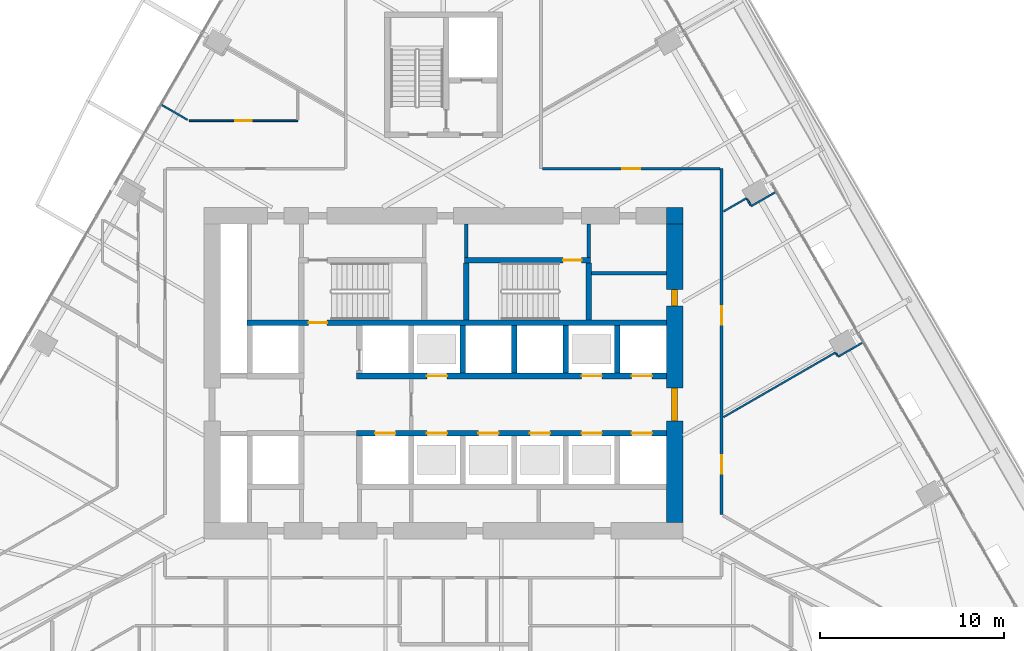
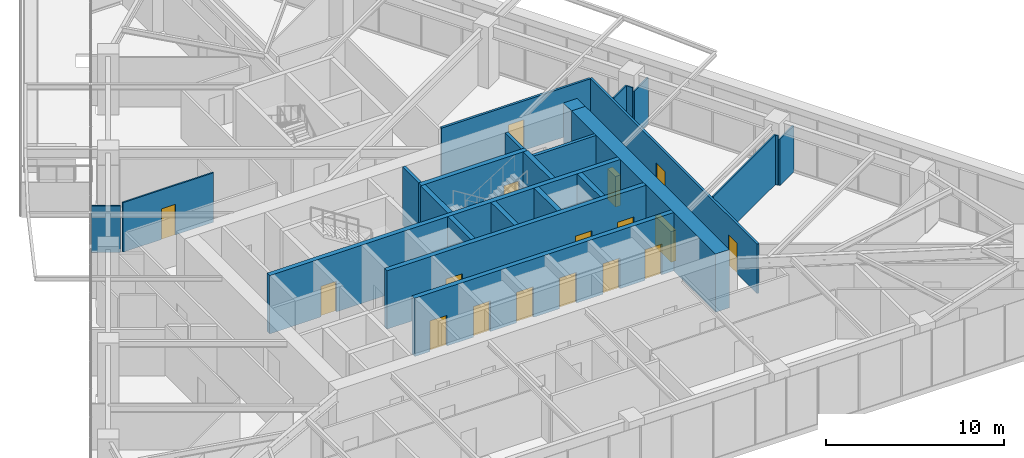
# One storey, part 23 of 29: 25 walls, 17 doors, 17 openings.
"""IFC4 building model written with IfcOpenShell, lengths in metres."""

from ifc_helpers import new_model, si_unit, direction, frame, frame_2d, origin, place, context, subcontext, project, spatial, rectangle, extrude, material, layer, layer_set, type_object, element, fill, save


model = new_model("IFC4")

# Units and contexts
model_context = context("Model", 3, precision=1e-05, world=origin(), true_north=direction((0.0, 1.0)))
body_context = subcontext(model_context, "Body", "Model", "MODEL_VIEW")
ifc_project = project(units=[si_unit("LENGTHUNIT", "METRE"), si_unit("AREAUNIT", "SQUARE_METRE"), si_unit("VOLUMEUNIT", "CUBIC_METRE"), si_unit("PLANEANGLEUNIT", "RADIAN"), si_unit("MASSUNIT", "GRAM", prefix="KILO")], contexts=[model_context])

# Site, building, storey
site_placement = place(None, origin())
site = spatial("IfcSite", under=ifc_project, at=site_placement, CompositionType="ELEMENT")
building_placement = place(site_placement, origin())
building = spatial("IfcBuilding", under=site, at=building_placement, Name="Firuza Gate Tower and Library", CompositionType="ELEMENT")
storey_placement = place(building_placement, frame((0.0, 0.0, 82.0)))
storey = spatial("IfcBuildingStorey", under=building, at=storey_placement, Name="L18", CompositionType="ELEMENT", Elevation=82.0)

# Walls
ifc_material_1 = material(Name="Plasterboard on steel studs", Category="steel")
ifc_layer_1 = layer(ifc_material_1, 0.199951171875)
ifc_layer_set_1 = layer_set([ifc_layer_1], Name="Core partition 200 EI 120")
wall_type_1 = type_object("IfcWallType", Name="Core partition 200 EI 120", PredefinedType="PARTITIONING", material=ifc_layer_set_1)
wall_1_placement = place(storey_placement, frame((83.050048828125, 80.425048828125, 0.0), z_axis=(0.0, 0.0, 1.0), x_axis=(1.0, 0.0, 0.0)))
element("IfcWall", 1, at=wall_1_placement, inside=storey, type_object=wall_type_1, Name="Core partition L18 4", PredefinedType="PARTITIONING", context=body_context, shape_type="SweptSolid", body=[
    extrude(rectangle(XDim=4.050048828125, YDim=0.199951171875, at=frame_2d((2.02490234375, 0.0))), origin(), (0.0, 0.0, 1.0), 4.0),
])
ifc_material_2 = material(Name="Plasterboard on steel studs", Category="steel")
ifc_layer_2 = layer(ifc_material_2, 0.199951171875)
ifc_layer_set_2 = layer_set([ifc_layer_2], Name="Core partition 200 EI 60")
wall_type_2 = type_object("IfcWallType", Name="Core partition 200 EI 60", PredefinedType="PARTITIONING", material=ifc_layer_set_2)
for number, where, z_axis, x_axis, name in (
    (2, (76.239990234375, 81.280029296875, 0.0), (0.0, 0.0, 1.0), (0.0, 1.0, 0.0), "Core partition L18 14"),
    (3, (82.89990234375, 81.280029296875, 0.0), (0.0, 0.0, 1.0), (0.0, 1.0, 0.0), "Core partition L18 16"),
):
    element("IfcWall", number, at=place(storey_placement, frame(where, z_axis=z_axis, x_axis=x_axis)), inside=storey, type_object=wall_type_2, Name=name, PredefinedType="PARTITIONING", context=body_context, shape_type="SweptSolid", body=[
        extrude(rectangle(XDim=1.820068359375, YDim=0.199951171875, at=frame_2d((0.91015625, 0.0))), origin(), (0.0, 0.0, 1.0), 4.0),
    ])

# Wall, openings, doors
ifc_material_3 = material(Name="Concrete C80/95", Category="concrete")
ifc_layer_3 = layer(ifc_material_3, 0.300048828125)
ifc_layer_set_3 = layer_set([ifc_layer_3], Name="Core wall 300 C80/95")
wall_type_3 = type_object("IfcWallType", Name="Core wall 300 C80/95", PredefinedType="SHEAR", material=ifc_layer_set_3)
wall_2_placement = place(storey_placement, frame((70.300048828125, 71.75, 0.0), z_axis=(0.0, 0.0, 1.0), x_axis=(1.0, 0.0, 0.0)))
wall_2 = element("IfcWall", 4, at=wall_2_placement, inside=storey, type_object=wall_type_3, Name="Core wall L18 8", PredefinedType="SHEAR", context=body_context, shape_type="SweptSolid", body=[
    extrude(rectangle(XDim=16.800048828125, YDim=0.300048828125, at=frame_2d((8.39990234375, 0.0))), origin(), (0.0, 0.0, 1.0), 4.0),
])
opening_1_placement = place(wall_2_placement, frame((1.0, 0.0, 0.0)))
opening_1 = element("IfcOpeningElement", 5, at=opening_1_placement, cuts=wall_2, Name="Opening LD-FF1-L18", PredefinedType="OPENING", context=body_context, shape_type="SweptSolid", body=[
    extrude(rectangle(XDim=1.10009765625, YDim=2.10009765625, at=frame_2d((0.550048828125, 1.050048828125))), frame((0.0, 0.16015625, 0.0), z_axis=(0.0, -1.0, 0.0), x_axis=(1.0, 0.0, 0.0)), (0.0, 0.0, 1.0), 0.320068359375),
])
opening_2_placement = place(wall_2_placement, frame((3.800048828125, 0.0, 0.0)))
opening_2 = element("IfcOpeningElement", 6, at=opening_2_placement, cuts=wall_2, Name="Opening LD-LR1-L18", PredefinedType="OPENING", context=body_context, shape_type="SweptSolid", body=[
    extrude(rectangle(XDim=1.10009765625, YDim=2.10009765625, at=frame_2d((0.550048828125, 1.050048828125))), frame((0.0, 0.16015625, 0.0), z_axis=(0.0, -1.0, 0.0), x_axis=(1.0, 0.0, 0.0)), (0.0, 0.0, 1.0), 0.320068359375),
])
opening_3_placement = place(wall_2_placement, frame((6.60009765625, 0.0, 0.0)))
opening_3 = element("IfcOpeningElement", 7, at=opening_3_placement, cuts=wall_2, Name="Opening LD-LR2-L18", PredefinedType="OPENING", context=body_context, shape_type="SweptSolid", body=[
    extrude(rectangle(XDim=1.10009765625, YDim=2.10009765625, at=frame_2d((0.550048828125, 1.050048828125))), frame((0.0, 0.16015625, 0.0), z_axis=(0.0, -1.0, 0.0), x_axis=(1.0, 0.0, 0.0)), (0.0, 0.0, 1.0), 0.320068359375),
])
opening_4_placement = place(wall_2_placement, frame((9.39990234375, 0.0, 0.0)))
opening_4 = element("IfcOpeningElement", 8, at=opening_4_placement, cuts=wall_2, Name="Opening LD-LR3-L18", PredefinedType="OPENING", context=body_context, shape_type="SweptSolid", body=[
    extrude(rectangle(XDim=1.10009765625, YDim=2.10009765625, at=frame_2d((0.550048828125, 1.050048828125))), frame((0.0, 0.16015625, 0.0), z_axis=(0.0, -1.0, 0.0), x_axis=(1.0, 0.0, 0.0)), (0.0, 0.0, 1.0), 0.320068359375),
])
opening_5_placement = place(wall_2_placement, frame((12.199951171875, 0.0, 0.0)))
opening_5 = element("IfcOpeningElement", 9, at=opening_5_placement, cuts=wall_2, Name="Opening LD-LR5-L18", PredefinedType="OPENING", context=body_context, shape_type="SweptSolid", body=[
    extrude(rectangle(XDim=1.10009765625, YDim=2.10009765625, at=frame_2d((0.550048828125, 1.050048828125))), frame((0.0, 0.16015625, 0.0), z_axis=(0.0, -1.0, 0.0), x_axis=(1.0, 0.0, 0.0)), (0.0, 0.0, 1.0), 0.320068359375),
])
opening_6_placement = place(wall_2_placement, frame((14.925048828125, 0.0, 0.0)))
opening_6 = element("IfcOpeningElement", 10, at=opening_6_placement, cuts=wall_2, Name="Opening LD-LR7-L18", PredefinedType="OPENING", context=body_context, shape_type="SweptSolid", body=[
    extrude(rectangle(XDim=1.10009765625, YDim=2.10009765625, at=frame_2d((0.550048828125, 1.050048828125))), frame((0.0, 0.16015625, 0.0), z_axis=(0.0, -1.0, 0.0), x_axis=(1.0, 0.0, 0.0)), (0.0, 0.0, 1.0), 0.320068359375),
])
ifc_material_4 = material(Name="Stainless steel", Category="steel")
door_type_1 = type_object("IfcDoorType", Name="Lift landing door 1100x2100", OperationType="DOUBLE_DOOR_SLIDING", PredefinedType="DOOR", material=ifc_material_4)
door_1_placement = place(opening_1_placement, origin())
door_1 = element("IfcDoor", 11, at=door_1_placement, inside=storey, type_object=door_type_1, Name="Landing door FF1 L18", OperationType="DOUBLE_DOOR_SLIDING", OverallHeight=2.10009765625, OverallWidth=1.10009765625, PredefinedType="DOOR", context=body_context, shape_type="SweptSolid", body=[
    extrude(rectangle(XDim=1.10009765625, YDim=2.10009765625, at=frame_2d((0.550048828125, 1.050048828125))), frame((0.0, 0.02490234375, 0.0), z_axis=(0.0, -1.0, 0.0), x_axis=(1.0, 0.0, 0.0)), (0.0, 0.0, 1.0), 0.050048828125),
])
fill(opening_1, door_1)
door_2_placement = place(opening_2_placement, origin())
door_2 = element("IfcDoor", 12, at=door_2_placement, inside=storey, type_object=door_type_1, Name="Landing door LR1 L18", OperationType="DOUBLE_DOOR_SLIDING", OverallHeight=2.10009765625, OverallWidth=1.10009765625, PredefinedType="DOOR", context=body_context, shape_type="SweptSolid", body=[
    extrude(rectangle(XDim=1.10009765625, YDim=2.10009765625, at=frame_2d((0.550048828125, 1.050048828125))), frame((0.0, 0.02490234375, 0.0), z_axis=(0.0, -1.0, 0.0), x_axis=(1.0, 0.0, 0.0)), (0.0, 0.0, 1.0), 0.050048828125),
])
fill(opening_2, door_2)
door_3_placement = place(opening_3_placement, origin())
door_3 = element("IfcDoor", 13, at=door_3_placement, inside=storey, type_object=door_type_1, Name="Landing door LR2 L18", OperationType="DOUBLE_DOOR_SLIDING", OverallHeight=2.10009765625, OverallWidth=1.10009765625, PredefinedType="DOOR", context=body_context, shape_type="SweptSolid", body=[
    extrude(rectangle(XDim=1.10009765625, YDim=2.10009765625, at=frame_2d((0.550048828125, 1.050048828125))), frame((0.0, 0.02490234375, 0.0), z_axis=(0.0, -1.0, 0.0), x_axis=(1.0, 0.0, 0.0)), (0.0, 0.0, 1.0), 0.050048828125),
])
fill(opening_3, door_3)
door_4_placement = place(opening_4_placement, origin())
door_4 = element("IfcDoor", 14, at=door_4_placement, inside=storey, type_object=door_type_1, Name="Landing door LR3 L18", OperationType="DOUBLE_DOOR_SLIDING", OverallHeight=2.10009765625, OverallWidth=1.10009765625, PredefinedType="DOOR", context=body_context, shape_type="SweptSolid", body=[
    extrude(rectangle(XDim=1.10009765625, YDim=2.10009765625, at=frame_2d((0.550048828125, 1.050048828125))), frame((0.0, 0.02490234375, 0.0), z_axis=(0.0, -1.0, 0.0), x_axis=(1.0, 0.0, 0.0)), (0.0, 0.0, 1.0), 0.050048828125),
])
fill(opening_4, door_4)
door_5_placement = place(opening_5_placement, origin())
door_5 = element("IfcDoor", 15, at=door_5_placement, inside=storey, type_object=door_type_1, Name="Landing door LR5 L18", OperationType="DOUBLE_DOOR_SLIDING", OverallHeight=2.10009765625, OverallWidth=1.10009765625, PredefinedType="DOOR", context=body_context, shape_type="SweptSolid", body=[
    extrude(rectangle(XDim=1.10009765625, YDim=2.10009765625, at=frame_2d((0.550048828125, 1.050048828125))), frame((0.0, 0.02490234375, 0.0), z_axis=(0.0, -1.0, 0.0), x_axis=(1.0, 0.0, 0.0)), (0.0, 0.0, 1.0), 0.050048828125),
])
fill(opening_5, door_5)
door_6_placement = place(opening_6_placement, origin())
door_6 = element("IfcDoor", 16, at=door_6_placement, inside=storey, type_object=door_type_1, Name="Landing door LR7 L18", OperationType="DOUBLE_DOOR_SLIDING", OverallHeight=2.10009765625, OverallWidth=1.10009765625, PredefinedType="DOOR", context=body_context, shape_type="SweptSolid", body=[
    extrude(rectangle(XDim=1.10009765625, YDim=2.10009765625, at=frame_2d((0.550048828125, 1.050048828125))), frame((0.0, 0.02490234375, 0.0), z_axis=(0.0, -1.0, 0.0), x_axis=(1.0, 0.0, 0.0)), (0.0, 0.0, 1.0), 0.050048828125),
])
fill(opening_6, door_6)

wall_3_placement = place(storey_placement, frame((70.300048828125, 74.85009765625, 0.0), z_axis=(0.0, 0.0, 1.0), x_axis=(1.0, 0.0, 0.0)))
wall_3 = element("IfcWall", 17, at=wall_3_placement, inside=storey, type_object=wall_type_3, Name="Core wall L18 10", PredefinedType="SHEAR", context=body_context, shape_type="SweptSolid", body=[
    extrude(rectangle(XDim=16.800048828125, YDim=0.300048828125, at=frame_2d((8.39990234375, 0.0))), origin(), (0.0, 0.0, 1.0), 4.0),
])
opening_7_placement = place(wall_3_placement, frame((3.800048828125, 0.0, 0.0)))
opening_7 = element("IfcOpeningElement", 18, at=opening_7_placement, cuts=wall_3, Name="Opening LD-LR4-L18", PredefinedType="OPENING", context=body_context, shape_type="SweptSolid", body=[
    extrude(rectangle(XDim=1.10009765625, YDim=2.10009765625, at=frame_2d((0.550048828125, 1.050048828125))), frame((0.0, 0.16015625, 0.0), z_axis=(0.0, -1.0, 0.0), x_axis=(1.0, 0.0, 0.0)), (0.0, 0.0, 1.0), 0.320068359375),
])
opening_8_placement = place(wall_3_placement, frame((12.199951171875, 0.0, 0.0)))
opening_8 = element("IfcOpeningElement", 19, at=opening_8_placement, cuts=wall_3, Name="Opening LD-LR6-L18", PredefinedType="OPENING", context=body_context, shape_type="SweptSolid", body=[
    extrude(rectangle(XDim=1.10009765625, YDim=2.10009765625, at=frame_2d((0.550048828125, 1.050048828125))), frame((0.0, 0.16015625, 0.0), z_axis=(0.0, -1.0, 0.0), x_axis=(1.0, 0.0, 0.0)), (0.0, 0.0, 1.0), 0.320068359375),
])
opening_9_placement = place(wall_3_placement, frame((14.925048828125, 0.0, 0.0)))
opening_9 = element("IfcOpeningElement", 20, at=opening_9_placement, cuts=wall_3, Name="Opening LD-LR8-L18", PredefinedType="OPENING", context=body_context, shape_type="SweptSolid", body=[
    extrude(rectangle(XDim=1.10009765625, YDim=2.10009765625, at=frame_2d((0.550048828125, 1.050048828125))), frame((0.0, 0.16015625, 0.0), z_axis=(0.0, -1.0, 0.0), x_axis=(1.0, 0.0, 0.0)), (0.0, 0.0, 1.0), 0.320068359375),
])
door_7_placement = place(opening_7_placement, origin())
door_7 = element("IfcDoor", 21, at=door_7_placement, inside=storey, type_object=door_type_1, Name="Landing door LR4 L18", OperationType="DOUBLE_DOOR_SLIDING", OverallHeight=2.10009765625, OverallWidth=1.10009765625, PredefinedType="DOOR", context=body_context, shape_type="SweptSolid", body=[
    extrude(rectangle(XDim=1.10009765625, YDim=2.10009765625, at=frame_2d((0.550048828125, 1.050048828125))), frame((0.0, 0.02490234375, 0.0), z_axis=(0.0, -1.0, 0.0), x_axis=(1.0, 0.0, 0.0)), (0.0, 0.0, 1.0), 0.050048828125),
])
fill(opening_7, door_7)
door_8_placement = place(opening_8_placement, origin())
door_8 = element("IfcDoor", 22, at=door_8_placement, inside=storey, type_object=door_type_1, Name="Landing door LR6 L18", OperationType="DOUBLE_DOOR_SLIDING", OverallHeight=2.10009765625, OverallWidth=1.10009765625, PredefinedType="DOOR", context=body_context, shape_type="SweptSolid", body=[
    extrude(rectangle(XDim=1.10009765625, YDim=2.10009765625, at=frame_2d((0.550048828125, 1.050048828125))), frame((0.0, 0.02490234375, 0.0), z_axis=(0.0, -1.0, 0.0), x_axis=(1.0, 0.0, 0.0)), (0.0, 0.0, 1.0), 0.050048828125),
])
fill(opening_8, door_8)
door_9_placement = place(opening_9_placement, origin())
door_9 = element("IfcDoor", 23, at=door_9_placement, inside=storey, type_object=door_type_1, Name="Landing door LR8 L18", OperationType="DOUBLE_DOOR_SLIDING", OverallHeight=2.10009765625, OverallWidth=1.10009765625, PredefinedType="DOOR", context=body_context, shape_type="SweptSolid", body=[
    extrude(rectangle(XDim=1.10009765625, YDim=2.10009765625, at=frame_2d((0.550048828125, 1.050048828125))), frame((0.0, 0.02490234375, 0.0), z_axis=(0.0, -1.0, 0.0), x_axis=(1.0, 0.0, 0.0)), (0.0, 0.0, 1.0), 0.050048828125),
])
fill(opening_9, door_9)

# Walls
for number, where, z_axis, x_axis, name in (
    (24, (76.050048828125, 75.0, 0.0), (0.0, 0.0, 1.0), (0.0, 1.0, 0.0), "Core wall L18 20"),
    (25, (78.85009765625, 75.0, 0.0), (0.0, 0.0, 1.0), (0.0, 1.0, 0.0), "Core wall L18 22"),
    (26, (81.64990234375, 75.0, 0.0), (0.0, 0.0, 1.0), (0.0, 1.0, 0.0), "Core wall L18 24"),
    (27, (84.449951171875, 75.0, 0.0), (0.0, 0.0, 1.0), (0.0, 1.0, 0.0), "Core wall L18 26"),
):
    element("IfcWall", number, at=place(storey_placement, frame(where, z_axis=z_axis, x_axis=x_axis)), inside=storey, type_object=wall_type_3, Name=name, PredefinedType="SHEAR", context=body_context, shape_type="SweptSolid", body=[
        extrude(rectangle(XDim=2.60009765625, YDim=0.300048828125, at=frame_2d((1.300048828125, 0.0))), origin(), (0.0, 0.0, 1.0), 4.0),
    ])

# Wall, opening, door
wall_4_placement = place(storey_placement, frame((64.35009765625, 77.75, 0.0), z_axis=(0.0, 0.0, 1.0), x_axis=(1.0, 0.0, 0.0)))
wall_4 = element("IfcWall", 28, at=wall_4_placement, inside=storey, type_object=wall_type_3, Name="Core wall L18 27", PredefinedType="SHEAR", context=body_context, shape_type="SweptSolid", body=[
    extrude(rectangle(XDim=22.75, YDim=0.300048828125, at=frame_2d((11.375, 0.0))), origin(), (0.0, 0.0, 1.0), 4.0),
])
opening_10_placement = place(wall_4_placement, frame((3.344970703125, 0.0, 0.0)))
opening_10 = element("IfcOpeningElement", 29, at=opening_10_placement, cuts=wall_4, Name="Opening L18-K12", PredefinedType="OPENING", context=body_context, shape_type="SweptSolid", body=[
    extrude(rectangle(XDim=1.0, YDim=2.10009765625, at=frame_2d((0.5, 1.050048828125))), frame((0.0, 0.16015625, 0.0), z_axis=(0.0, -1.0, 0.0), x_axis=(1.0, 0.0, 0.0)), (0.0, 0.0, 1.0), 0.320068359375),
])
ifc_material_5 = material(Name="Steel", Category="steel")
door_type_2 = type_object("IfcDoorType", Name="Fire door 1000x2100 FD90", OperationType="NOTDEFINED", PredefinedType="DOOR", material=ifc_material_5)
door_10_placement = place(opening_10_placement, origin())
door_10 = element("IfcDoor", 30, at=door_10_placement, inside=storey, type_object=door_type_2, Name="Door L18-K12", OperationType="SINGLE_SWING_LEFT", OverallHeight=2.10009765625, OverallWidth=1.0, PredefinedType="DOOR", context=body_context, shape_type="SweptSolid", body=[
    extrude(rectangle(XDim=1.0, YDim=2.10009765625, at=frame_2d((0.5, 1.050048828125))), frame((0.0, 0.02490234375, 0.0), z_axis=(0.0, -1.0, 0.0), x_axis=(1.0, 0.0, 0.0)), (0.0, 0.0, 1.0), 0.050048828125),
])
fill(opening_10, door_10)

wall_5_placement = place(storey_placement, frame((76.139892578125, 81.1298828125, 0.0), z_axis=(0.0, 0.0, 1.0), x_axis=(1.0, 0.0, 0.0)))
wall_5 = element("IfcWall", 31, at=wall_5_placement, inside=storey, type_object=wall_type_3, Name="Core wall L18 29", PredefinedType="SHEAR", context=body_context, shape_type="SweptSolid", body=[
    extrude(rectangle(XDim=6.860107421875, YDim=0.300048828125, at=frame_2d((3.43017578125, 0.0))), origin(), (0.0, 0.0, 1.0), 4.0),
])
opening_11_placement = place(wall_5_placement, frame((5.364990234375, 0.0, 0.0)))
opening_11 = element("IfcOpeningElement", 32, at=opening_11_placement, cuts=wall_5, Name="Opening L18-K15", PredefinedType="OPENING", context=body_context, shape_type="SweptSolid", body=[
    extrude(rectangle(XDim=1.0, YDim=2.10009765625, at=frame_2d((0.5, 1.050048828125))), frame((0.0, 0.16015625, 0.0), z_axis=(0.0, -1.0, 0.0), x_axis=(1.0, 0.0, 0.0)), (0.0, 0.0, 1.0), 0.320068359375),
])
door_11_placement = place(opening_11_placement, origin())
door_11 = element("IfcDoor", 33, at=door_11_placement, inside=storey, type_object=door_type_2, Name="Door L18-K15", OperationType="SINGLE_SWING_RIGHT", OverallHeight=2.10009765625, OverallWidth=1.0, PredefinedType="DOOR", context=body_context, shape_type="SweptSolid", body=[
    extrude(rectangle(XDim=1.0, YDim=2.10009765625, at=frame_2d((0.5, 1.050048828125))), frame((0.0, 0.02490234375, 0.0), z_axis=(0.0, -1.0, 0.0), x_axis=(1.0, 0.0, 0.0)), (0.0, 0.0, 1.0), 0.050048828125),
])
fill(opening_11, door_11)

# Walls
for number, where, z_axis, x_axis, name in (
    (34, (76.239990234375, 77.89990234375, 0.0), (0.0, 0.0, 1.0), (0.0, 1.0, 0.0), "Core wall L18 32"),
    (35, (82.89990234375, 77.89990234375, 0.0), (0.0, 0.0, 1.0), (0.0, 1.0, 0.0), "Core wall L18 33"),
):
    element("IfcWall", number, at=place(storey_placement, frame(where, z_axis=z_axis, x_axis=x_axis)), inside=storey, type_object=wall_type_3, Name=name, PredefinedType="SHEAR", context=body_context, shape_type="SweptSolid", body=[
        extrude(rectangle(XDim=3.080078125, YDim=0.300048828125, at=frame_2d((1.5400390625, 0.0))), origin(), (0.0, 0.0, 1.0), 4.0),
    ])

# Wall, openings, doors
ifc_material_6 = material(Name="Concrete C80/95", Category="concrete")
ifc_layer_4 = layer(ifc_material_6, 0.89990234375)
ifc_layer_set_4 = layer_set([ifc_layer_4], Name="Core wall 900 C80/95")
wall_type_4 = type_object("IfcWallType", Name="Core wall 900 C80/95", PredefinedType="SHEAR", material=ifc_layer_set_4)
wall_6_placement = place(storey_placement, frame((87.550048828125, 66.89990234375, 0.0), z_axis=(0.0, 0.0, 1.0), x_axis=(0.0, 1.0, 0.0)))
wall_6 = element("IfcWall", 36, at=wall_6_placement, inside=storey, type_object=wall_type_4, Name="Core wall L18 4", PredefinedType="SHEAR", context=body_context, shape_type="SweptSolid", body=[
    extrude(rectangle(XDim=16.2001953125, YDim=0.89990234375, at=frame_2d((8.10009765625, 0.0))), origin(), (0.0, 0.0, 1.0), 4.0),
])
opening_12_placement = place(wall_6_placement, frame((5.5, 0.0, 0.0)))
opening_12 = element("IfcOpeningElement", 37, at=opening_12_placement, cuts=wall_6, Name="Opening L18-K23", PredefinedType="OPENING", context=body_context, shape_type="SweptSolid", body=[
    extrude(rectangle(XDim=1.800048828125, YDim=2.10009765625, at=frame_2d((0.89990234375, 1.050048828125))), frame((0.0, 0.4599609375, 0.0), z_axis=(0.0, -1.0, 0.0), x_axis=(1.0, 0.0, 0.0)), (0.0, 0.0, 1.0), 0.919921875),
])
opening_13_placement = place(wall_6_placement, frame((11.737548828125, 0.0, 0.0)))
opening_13 = element("IfcOpeningElement", 38, at=opening_13_placement, cuts=wall_6, Name="Opening L18-K31", PredefinedType="OPENING", context=body_context, shape_type="SweptSolid", body=[
    extrude(rectangle(XDim=0.89990234375, YDim=2.10009765625, at=frame_2d((0.449951171875, 1.050048828125))), frame((0.0, 0.4599609375, 0.0), z_axis=(0.0, -1.0, 0.0), x_axis=(1.0, 0.0, 0.0)), (0.0, 0.0, 1.0), 0.919921875),
])
ifc_material_7 = material(Name="Steel", Category="steel")
door_type_3 = type_object("IfcDoorType", Name="Fire door 1800x2100 FD30S", OperationType="NOTDEFINED", PredefinedType="DOOR", material=ifc_material_7)
door_12_placement = place(opening_12_placement, origin())
door_12 = element("IfcDoor", 39, at=door_12_placement, inside=storey, type_object=door_type_3, Name="Door L18-K23", OperationType="SINGLE_SWING_RIGHT", OverallHeight=2.10009765625, OverallWidth=1.800048828125, PredefinedType="DOOR", context=body_context, shape_type="SweptSolid", body=[
    extrude(rectangle(XDim=1.800048828125, YDim=2.10009765625, at=frame_2d((0.89990234375, 1.050048828125))), frame((0.0, 0.169921875, 0.0), z_axis=(0.0, -1.0, 0.0), x_axis=(1.0, 0.0, 0.0)), (0.0, 0.0, 1.0), 0.33984375),
])
fill(opening_12, door_12)
ifc_material_8 = material(Name="Steel", Category="steel")
door_type_4 = type_object("IfcDoorType", Name="Fire door 900x2100 FD30S", OperationType="NOTDEFINED", PredefinedType="DOOR", material=ifc_material_8)
door_13_placement = place(opening_13_placement, origin())
door_13 = element("IfcDoor", 40, at=door_13_placement, inside=storey, type_object=door_type_4, Name="Door L18-K31", OperationType="SINGLE_SWING_RIGHT", OverallHeight=2.10009765625, OverallWidth=0.89990234375, PredefinedType="DOOR", context=body_context, shape_type="SweptSolid", body=[
    extrude(rectangle(XDim=0.89990234375, YDim=2.10009765625, at=frame_2d((0.449951171875, 1.050048828125))), frame((0.0, 0.169921875, 0.0), z_axis=(0.0, -1.0, 0.0), x_axis=(1.0, 0.0, 0.0)), (0.0, 0.0, 1.0), 0.33984375),
])
fill(opening_13, door_13)

# Wall
wall_7_placement = place(storey_placement, frame((87.10009765625, 83.550048828125, 0.0), z_axis=(0.0, 0.0, 1.0), x_axis=(1.0, 0.0, 0.0)))
element("IfcWall", 41, at=wall_7_placement, inside=storey, type_object=wall_type_4, Name="Core wall L18 40", PredefinedType="SHEAR", context=body_context, shape_type="SweptSolid", body=[
    extrude(rectangle(XDim=0.89990234375, YDim=0.89990234375, at=frame_2d((0.449951171875, 0.0))), origin(), (0.0, 0.0, 1.0), 4.0),
])

# Wall, opening, door
ifc_material_9 = material(Name="Gypsum board partition")
ifc_layer_5 = layer(ifc_material_9, 0.14990234375)
ifc_layer_set_5 = layer_set([ifc_layer_5], Name="Corridor wall 150 double board on steel studs")
wall_type_5 = type_object("IfcWallType", Name="Corridor wall 150 double board on steel studs", PredefinedType="PARTITIONING", material=ifc_layer_set_5)
wall_8_placement = place(storey_placement, frame((80.375, 86.10009765625, 0.0), z_axis=(0.0, 0.0, 1.0), x_axis=(1.0, 0.0, 0.0)))
wall_8 = element("IfcWall", 42, at=wall_8_placement, inside=storey, type_object=wall_type_5, Name="f:L18:w006", PredefinedType="PARTITIONING", context=body_context, shape_type="SweptSolid", body=[
    extrude(rectangle(XDim=9.6494140625, YDim=0.14990234375, at=frame_2d((4.82470703125, 0.0))), origin(), (0.0, 0.0, 1.0), 3.39990234375),
])
opening_14_placement = place(wall_8_placement, frame((4.32470703125, 0.0, 0.0)))
opening_14 = element("IfcOpeningElement", 43, at=opening_14_placement, cuts=wall_8, Name="Opening L18-11", PredefinedType="OPENING", context=body_context, shape_type="SweptSolid", body=[
    extrude(rectangle(XDim=1.0, YDim=2.10009765625, at=frame_2d((0.5, 1.050048828125))), frame((0.0, 0.0849609375, 0.0), z_axis=(0.0, -1.0, 0.0), x_axis=(1.0, 0.0, 0.0)), (0.0, 0.0, 1.0), 0.169921875),
])
ifc_material_10 = material(Name="Steel door and timber leaf", Category="steel")
door_type_5 = type_object("IfcDoorType", Name="Fire door 1000 x 2100 steel frame, timber leaf", OperationType="NOTDEFINED", PredefinedType="DOOR", material=ifc_material_10)
door_14_placement = place(opening_14_placement, origin())
door_14 = element("IfcDoor", 44, at=door_14_placement, inside=storey, type_object=door_type_5, Name="f:L18:d011", OperationType="SINGLE_SWING_RIGHT", OverallHeight=2.10009765625, OverallWidth=1.0, PredefinedType="DOOR", context=body_context, shape_type="SweptSolid", body=[
    extrude(rectangle(XDim=1.0, YDim=2.10009765625, at=frame_2d((0.5, 1.050048828125))), frame((0.0, 0.02490234375, 0.0), z_axis=(0.0, -1.0, 0.0), x_axis=(1.0, 0.0, 0.0)), (0.0, 0.0, 1.0), 0.050048828125),
])
fill(opening_14, door_14)

# Wall, openings, doors
wall_9_placement = place(storey_placement, frame((90.10009765625, 86.099609375, 0.0), z_axis=(0.0, 0.0, 1.0), x_axis=(0.0, -1.0, 0.0)))
wall_9 = element("IfcWall", 45, at=wall_9_placement, inside=storey, type_object=wall_type_5, Name="f:L18:w034", PredefinedType="PARTITIONING", context=body_context, shape_type="SweptSolid", body=[
    extrude(rectangle(XDim=18.7783203125, YDim=0.14990234375, at=frame_2d((9.38916015625, 0.0))), origin(), (0.0, 0.0, 1.0), 3.39990234375),
])
opening_15_placement = place(wall_9_placement, frame((7.462158203125, 0.0, 0.0)))
opening_15 = element("IfcOpeningElement", 46, at=opening_15_placement, cuts=wall_9, Name="Opening L18-21", PredefinedType="OPENING", context=body_context, shape_type="SweptSolid", body=[
    extrude(rectangle(XDim=1.0, YDim=2.10009765625, at=frame_2d((0.5, 1.050048828125))), frame((0.0, 0.0849609375, 0.0), z_axis=(0.0, -1.0, 0.0), x_axis=(1.0, 0.0, 0.0)), (0.0, 0.0, 1.0), 0.169921875),
])
opening_16_placement = place(wall_9_placement, frame((15.558837890625, 0.0, 0.0)))
opening_16 = element("IfcOpeningElement", 47, at=opening_16_placement, cuts=wall_9, Name="Opening L18-22", PredefinedType="OPENING", context=body_context, shape_type="SweptSolid", body=[
    extrude(rectangle(XDim=1.0, YDim=2.10009765625, at=frame_2d((0.5, 1.050048828125))), frame((0.0, 0.0849609375, 0.0), z_axis=(0.0, -1.0, 0.0), x_axis=(1.0, 0.0, 0.0)), (0.0, 0.0, 1.0), 0.169921875),
])
door_15_placement = place(opening_15_placement, origin())
door_15 = element("IfcDoor", 48, at=door_15_placement, inside=storey, type_object=door_type_5, Name="f:L18:d021", OperationType="SINGLE_SWING_RIGHT", OverallHeight=2.10009765625, OverallWidth=1.0, PredefinedType="DOOR", context=body_context, shape_type="SweptSolid", body=[
    extrude(rectangle(XDim=1.0, YDim=2.10009765625, at=frame_2d((0.5, 1.050048828125))), frame((0.0, 0.02490234375, 0.0), z_axis=(0.0, -1.0, 0.0), x_axis=(1.0, 0.0, 0.0)), (0.0, 0.0, 1.0), 0.050048828125),
])
fill(opening_15, door_15)
door_16_placement = place(opening_16_placement, origin())
door_16 = element("IfcDoor", 49, at=door_16_placement, inside=storey, type_object=door_type_5, Name="f:L18:d022", OperationType="SINGLE_SWING_LEFT", OverallHeight=2.10009765625, OverallWidth=1.0, PredefinedType="DOOR", context=body_context, shape_type="SweptSolid", body=[
    extrude(rectangle(XDim=1.0, YDim=2.10009765625, at=frame_2d((0.5, 1.050048828125))), frame((0.0, 0.02490234375, 0.0), z_axis=(0.0, -1.0, 0.0), x_axis=(1.0, 0.0, 0.0)), (0.0, 0.0, 1.0), 0.050048828125),
])
fill(opening_16, door_16)

# Wall, opening, door
ifc_material_11 = material(Name="Gypsum board partition")
ifc_layer_6 = layer(ifc_material_11, 0.10009765625)
ifc_layer_set_6 = layer_set([ifc_layer_6], Name="Partition 100 gypsum board on steel studs")
wall_type_6 = type_object("IfcWallType", Name="Partition 100 gypsum board on steel studs", PredefinedType="PARTITIONING", material=ifc_layer_set_6)
wall_10_placement = place(storey_placement, frame((67.10009765625, 88.699951171875, 0.0), z_axis=(0.0, 0.0, 1.0), x_axis=(-1.0, 0.0, 0.0)))
wall_10 = element("IfcWall", 50, at=wall_10_placement, inside=storey, type_object=wall_type_6, Name="f:L18:w007", PredefinedType="PARTITIONING", context=body_context, shape_type="SweptSolid", body=[
    extrude(rectangle(XDim=5.89306640625, YDim=0.10009765625, at=frame_2d((2.946533203125, 0.0))), origin(), (0.0, 0.0, 1.0), 3.39990234375),
])
opening_17_placement = place(wall_10_placement, frame((2.49658203125, 0.0, 0.0)))
opening_17 = element("IfcOpeningElement", 51, at=opening_17_placement, cuts=wall_10, Name="Opening L18-12", PredefinedType="OPENING", context=body_context, shape_type="SweptSolid", body=[
    extrude(rectangle(XDim=0.89990234375, YDim=2.10009765625, at=frame_2d((0.449951171875, 1.050048828125))), frame((0.0, 0.06005859375, 0.0), z_axis=(0.0, -1.0, 0.0), x_axis=(1.0, 0.0, 0.0)), (0.0, 0.0, 1.0), 0.1201171875),
])
ifc_material_12 = material(Name="Timber door", Category="wood")
door_type_6 = type_object("IfcDoorType", Name="Door 900 x 2100 timber leaf", OperationType="NOTDEFINED", PredefinedType="DOOR", material=ifc_material_12)
door_17_placement = place(opening_17_placement, origin())
door_17 = element("IfcDoor", 52, at=door_17_placement, inside=storey, type_object=door_type_6, Name="f:L18:d012", OperationType="SINGLE_SWING_LEFT", OverallHeight=2.10009765625, OverallWidth=0.89990234375, PredefinedType="DOOR", context=body_context, shape_type="SweptSolid", body=[
    extrude(rectangle(XDim=0.89990234375, YDim=2.10009765625, at=frame_2d((0.449951171875, 1.050048828125))), frame((0.0, 0.02490234375, 0.0), z_axis=(0.0, -1.0, 0.0), x_axis=(1.0, 0.0, 0.0)), (0.0, 0.0, 1.0), 0.050048828125),
])
fill(opening_17, door_17)

# Walls
wall_11_placement = place(storey_placement, frame((96.423583984375, 75.89599609375, 0.0), z_axis=(0.0, 0.0, 1.0), x_axis=(0.866086524807, 0.499894120338, 0.0)))
element("IfcWall", 53, at=wall_11_placement, inside=storey, type_object=wall_type_6, Name="f:L18:w013", PredefinedType="PARTITIONING", context=body_context, shape_type="SweptSolid", body=[
    extrude(rectangle(XDim=1.559326171875, YDim=0.10009765625, at=frame_2d((0.77978515625, 0.0))), origin(), (0.0, 0.0, 1.0), 3.1650390625),
])
wall_12_placement = place(storey_placement, frame((90.200927734375, 72.614990234375, 0.0), z_axis=(0.0, 0.0, 1.0), x_axis=(0.866024193862, 0.500002095642, 0.0)))
element("IfcWall", 54, at=wall_12_placement, inside=storey, type_object=wall_type_6, Name="f:L18:w014", PredefinedType="PARTITIONING", context=body_context, shape_type="SweptSolid", body=[
    extrude(rectangle(XDim=7.0283203125, YDim=0.10009765625, at=frame_2d((3.51416015625, 0.0))), origin(), (0.0, 0.0, 1.0), 3.39990234375),
])
wall_13_placement = place(storey_placement, frame((91.70556640625, 84.067626953125, 0.0), z_axis=(0.0, 0.0, 1.0), x_axis=(0.866018739521, 0.500011542666, 0.0)))
element("IfcWall", 55, at=wall_13_placement, inside=storey, type_object=wall_type_6, Name="f:L18:w017", PredefinedType="PARTITIONING", context=body_context, shape_type="SweptSolid", body=[
    extrude(rectangle(XDim=1.5595703125, YDim=0.10009765625, at=frame_2d((0.77978515625, 0.0))), origin(), (0.0, 0.0, 1.0), 3.1650390625),
])
wall_14_placement = place(storey_placement, frame((90.200927734375, 83.7763671875, 0.0), z_axis=(0.0, 0.0, 1.0), x_axis=(0.866003030001, 0.500038750527, 0.0)))
element("IfcWall", 56, at=wall_14_placement, inside=storey, type_object=wall_type_6, Name="f:L18:w018", PredefinedType="PARTITIONING", context=body_context, shape_type="SweptSolid", body=[
    extrude(rectangle(XDim=1.44775390625, YDim=0.10009765625, at=frame_2d((0.723876953125, 0.0))), origin(), (0.0, 0.0, 1.0), 3.39990234375),
])
wall_15_placement = place(storey_placement, frame((96.398193359375, 75.939453125, 0.0), z_axis=(0.0, 0.0, 1.0), x_axis=(-0.500181256421, 0.865920730047, 0.0)))
element("IfcWall", 57, at=wall_15_placement, inside=storey, type_object=wall_type_6, Name="f:L18:w054", PredefinedType="PARTITIONING", context=body_context, shape_type="SweptSolid", body=[
    extrude(rectangle(XDim=0.1689453125, YDim=0.10009765625, at=frame_2d((0.08447265625, 0.0))), origin(), (0.0, 0.0, 1.0), 3.39990234375),
])
wall_16_placement = place(storey_placement, frame((91.68017578125, 84.111328125, 0.0), z_axis=(0.0, 0.0, 1.0), x_axis=(-0.50002266109, 0.866012320003, 0.0)))
element("IfcWall", 58, at=wall_16_placement, inside=storey, type_object=wall_type_6, Name="f:L18:w055", PredefinedType="PARTITIONING", context=body_context, shape_type="SweptSolid", body=[
    extrude(rectangle(XDim=0.39892578125, YDim=0.10009765625, at=frame_2d((0.199462890625, 0.0))), origin(), (0.0, 0.0, 1.0), 3.39990234375),
])
wall_17_placement = place(storey_placement, frame((61.120361328125, 88.75, 0.0), z_axis=(0.0, 0.0, 1.0), x_axis=(-0.865961000814, 0.50011153263, 0.0)))
element("IfcWall", 59, at=wall_17_placement, inside=storey, type_object=wall_type_6, Name="f:L18:w062", PredefinedType="PARTITIONING", context=body_context, shape_type="SweptSolid", body=[
    extrude(rectangle(XDim=1.66552734375, YDim=0.10009765625, at=frame_2d((0.832763671875, 0.0))), origin(), (0.0, 0.0, 1.0), 3.1650390625),
])

save(model, "model.ifc")
